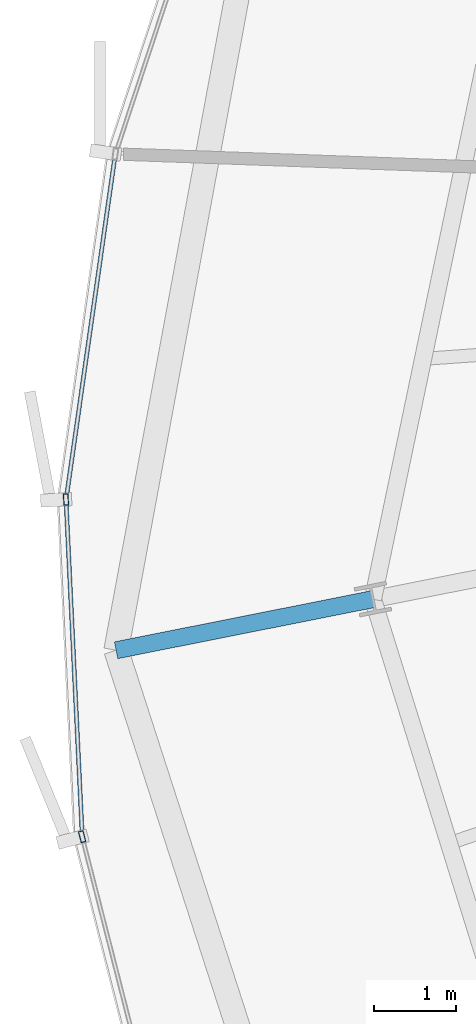
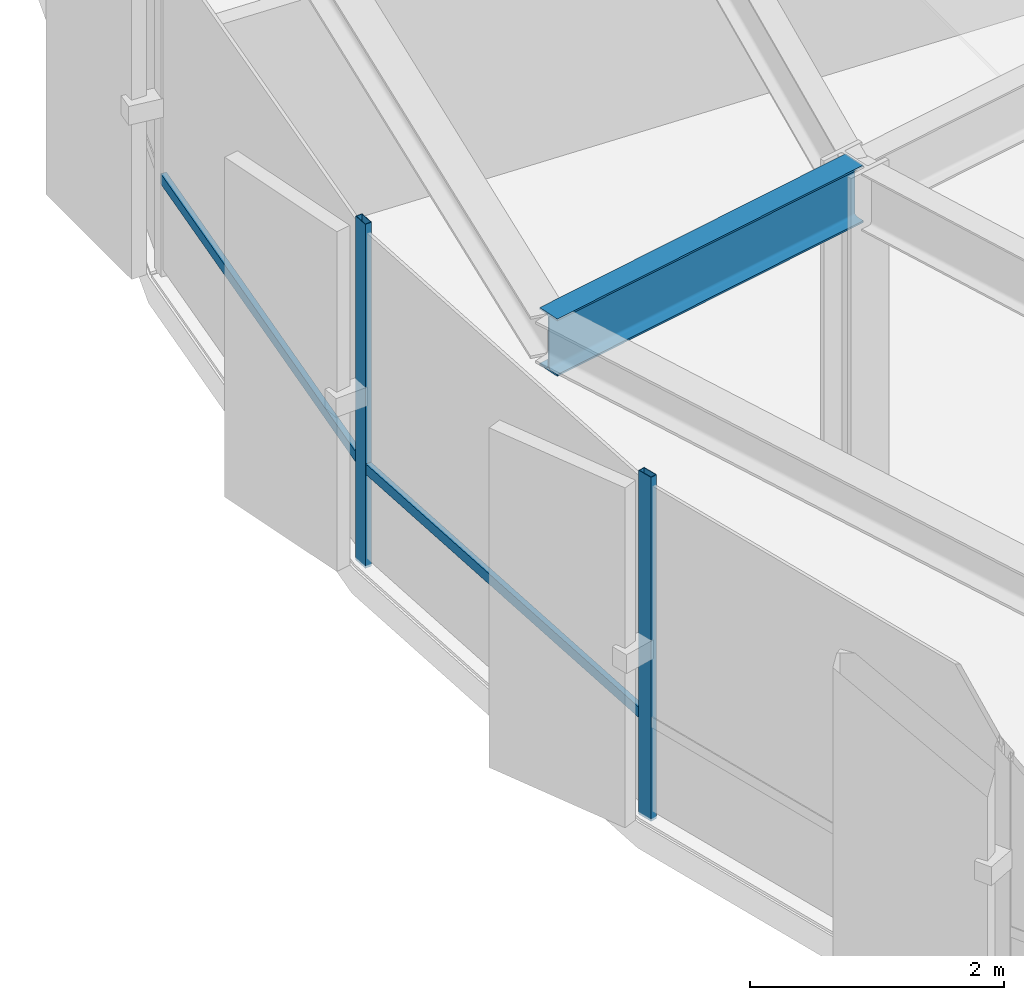
# One storey, part 9 of 36: 4 members, 1 beam, 1 element without a shape of its own.
"""IFC4 building model written with IfcOpenShell, lengths in metres."""

from ifc_helpers import new_model, si_unit, direction, frame, origin, origin_2d, place, context, subcontext, project, spatial, hollow_rectangle, i_section, extrude, source, transform, mapped, material, layer, layer_set, material_profile, profile_set, type_object, element, aggregate, save


model = new_model("IFC4")

# Units and contexts
model_context = context("Model", 3, precision=1e-05, world=origin(), true_north=direction((0.0, 1.0)))
body_context = subcontext(model_context, "Body", "Model", "MODEL_VIEW")
ifc_project = project(units=[si_unit("LENGTHUNIT", "METRE"), si_unit("AREAUNIT", "SQUARE_METRE"), si_unit("VOLUMEUNIT", "CUBIC_METRE"), si_unit("PLANEANGLEUNIT", "RADIAN"), si_unit("MASSUNIT", "GRAM", prefix="KILO"), si_unit("THERMODYNAMICTEMPERATUREUNIT", "KELVIN")], contexts=[model_context])

# Site, building, storey
site_placement = place(None, origin())
site = spatial("IfcSite", under=ifc_project, at=site_placement, CompositionType="ELEMENT")
building_placement = place(site_placement, origin())
building = spatial("IfcBuilding", under=site, at=building_placement, Name="Kethvar Cultural Tower", CompositionType="ELEMENT")
storey_placement = place(building_placement, frame((0.0, 0.0, 164.300048828125)))
storey = spatial("IfcBuildingStorey", under=building, at=storey_placement, Name="L42", CompositionType="ELEMENT", Elevation=164.300048828125)

# Beam
ifc_material_1 = material(Name="Steel S355J2", Category="steel")
ifc_material_profile_1 = material_profile(ifc_material_1, i_section(OverallWidth=0.2099609375, OverallDepth=0.550048828125, WebThickness=0.010986328125, FlangeThickness=0.01708984375, FilletRadius=0.02392578125, at=origin_2d()), Name="Steel S355J2 — IPE550")
ifc_profile_set_1 = profile_set([ifc_material_profile_1], Name="Steel S355J2 — IPE550")
beam_type = type_object("IfcBeamType", Name="BM-IPE550", PredefinedType="BEAM", material=ifc_profile_set_1)
shared_shape_1 = source(origin(), body_context, "Body", "SweptSolid", [
    extrude(i_section(OverallWidth=0.2099609375, OverallDepth=0.550048828125, WebThickness=0.010986328125, FlangeThickness=0.01708984375, FilletRadius=0.02392578125, at=origin_2d()), origin(), (0.0, 0.0, 1.0), 3.199951171875),
])
beam_placement = place(storey_placement, frame((24.185302734375, 23.3017578125, 3.02294921875), z_axis=(-0.980785550224, -0.195088965533, 0.0), x_axis=(0.195088965533, -0.980785550224, 0.0)))
element("IfcBeam", 1, at=beam_placement, inside=storey, type_object=beam_type, Name="L42 Perimeter Cantilever Beam RC-09", PredefinedType="BEAM", context=body_context, shape_type="MappedRepresentation", body=[
    mapped(shared_shape_1, transform((0.0, 0.0, 0.0), scale=1.0)),
])

# Curtain wall, members
ifc_material_2 = material(Name="Aluminium 6063-T6", Category="aluminium")
ifc_layer = layer(ifc_material_2, 0.179931640625, Name="Aluminium 6063-T6", Category="aluminium")
ifc_layer_set = layer_set([ifc_layer], Name="Aluminium 6063-T6 (180 mm)")
curtain_wall_type = type_object("IfcCurtainWallType", Name="CW-SYS-04-Z34", PredefinedType="NOTDEFINED", material=ifc_layer_set)
curtain_wall_placement = place(storey_placement, origin())
curtain_wall = element("IfcCurtainWall", 2, at=curtain_wall_placement, inside=storey, type_object=curtain_wall_type, Name="L42 Curtain Wall Run 03", PredefinedType="NOTDEFINED")
ifc_material_profile_2 = material_profile(ifc_material_2, hollow_rectangle(XDim=0.06005859375, YDim=0.139892578125, WallThickness=0.0048828125, at=origin_2d()), Name="Aluminium 6063-T6 — RHS140x60x5")
ifc_profile_set_2 = profile_set([ifc_material_profile_2], Name="Aluminium 6063-T6 — RHS140x60x5")
member_type_1 = type_object("IfcMemberType", Name="CW-SYS-04-Z34-MUL", PredefinedType="MULLION", material=ifc_profile_set_2)
shared_shape_2 = source(origin(), body_context, "Body", "SweptSolid", [
    extrude(hollow_rectangle(XDim=0.06005859375, YDim=0.139892578125, WallThickness=0.0048828125, at=origin_2d()), origin(), (0.0, 0.0, 1.0), 3.300048828125),
])
member_1_placement = place(storey_placement, frame((20.433837890625, 24.520751953125, 0.0), z_axis=(0.0, 0.0, 1.0), x_axis=(0.998834107121, 0.048274490687, 0.0)))
member_1 = element("IfcMember", 3, at=member_1_placement, type_object=member_type_1, Name="CW-L42-R03 Mullion 4", PredefinedType="MULLION", context=body_context, shape_type="MappedRepresentation", body=[
    mapped(shared_shape_2, transform((0.0, 0.0, 0.0), scale=1.0)),
])
member_2_placement = place(storey_placement, frame((20.630859375, 20.398681640625, 0.0), z_axis=(0.0, 0.0, 1.0), x_axis=(0.969015731407, 0.246999012723, 0.0)))
member_2 = element("IfcMember", 4, at=member_2_placement, type_object=member_type_1, Name="CW-L42-R03 Mullion 5", PredefinedType="MULLION", context=body_context, shape_type="MappedRepresentation", body=[
    mapped(shared_shape_2, transform((0.0, 0.0, 0.0), scale=1.0)),
])
ifc_material_profile_3 = material_profile(ifc_material_2, hollow_rectangle(XDim=0.050048828125, YDim=0.10009765625, WallThickness=0.00390625, at=origin_2d()), Name="Aluminium 6063-T6 — RHS100x50x4")
ifc_profile_set_3 = profile_set([ifc_material_profile_3], Name="Aluminium 6063-T6 — RHS100x50x4")
member_type_2 = type_object("IfcMemberType", Name="CW-SYS-04-Z34-TRN", PredefinedType="USERDEFINED", material=ifc_profile_set_3)
shared_shape_3 = source(origin(), body_context, "Body", "SweptSolid", [
    extrude(hollow_rectangle(XDim=0.050048828125, YDim=0.10009765625, WallThickness=0.00390625, at=origin_2d()), origin(), (0.0, 0.0, 1.0), 4.199951171875),
])
member_3_placement = place(storey_placement, frame((21.031005859375, 28.70068359375, 0.949951171875), z_axis=(-0.140965600917, -0.990014494519, 0.0), x_axis=(0.990014494519, -0.140965600917, 0.0)))
member_3 = element("IfcMember", 5, at=member_3_placement, type_object=member_type_2, Name="CW-L42-R03 Transom 3", ObjectType="TRANSOM", PredefinedType="USERDEFINED", context=body_context, shape_type="MappedRepresentation", body=[
    mapped(shared_shape_3, transform((0.0, 0.0, 0.0), scale=1.0)),
])
shared_shape_4 = source(origin(), body_context, "Body", "SweptSolid", [
    extrude(hollow_rectangle(XDim=0.050048828125, YDim=0.10009765625, WallThickness=0.00390625, at=origin_2d()), origin(), (0.0, 0.0, 1.0), 4.062255859375),
])
member_4_placement = place(storey_placement, frame((20.43603515625, 24.4775390625, 0.949951171875), z_axis=(0.048258988541, -0.998834856232, 0.0), x_axis=(0.998834856232, 0.048258988541, 0.0)))
member_4 = element("IfcMember", 6, at=member_4_placement, type_object=member_type_2, Name="CW-L42-R03 Transom 4", ObjectType="TRANSOM", PredefinedType="USERDEFINED", context=body_context, shape_type="MappedRepresentation", body=[
    mapped(shared_shape_4, transform((0.0, 0.0, 0.0), scale=1.0)),
])
aggregate(curtain_wall, [member_1, member_2, member_3, member_4])

save(model, "model.ifc")
